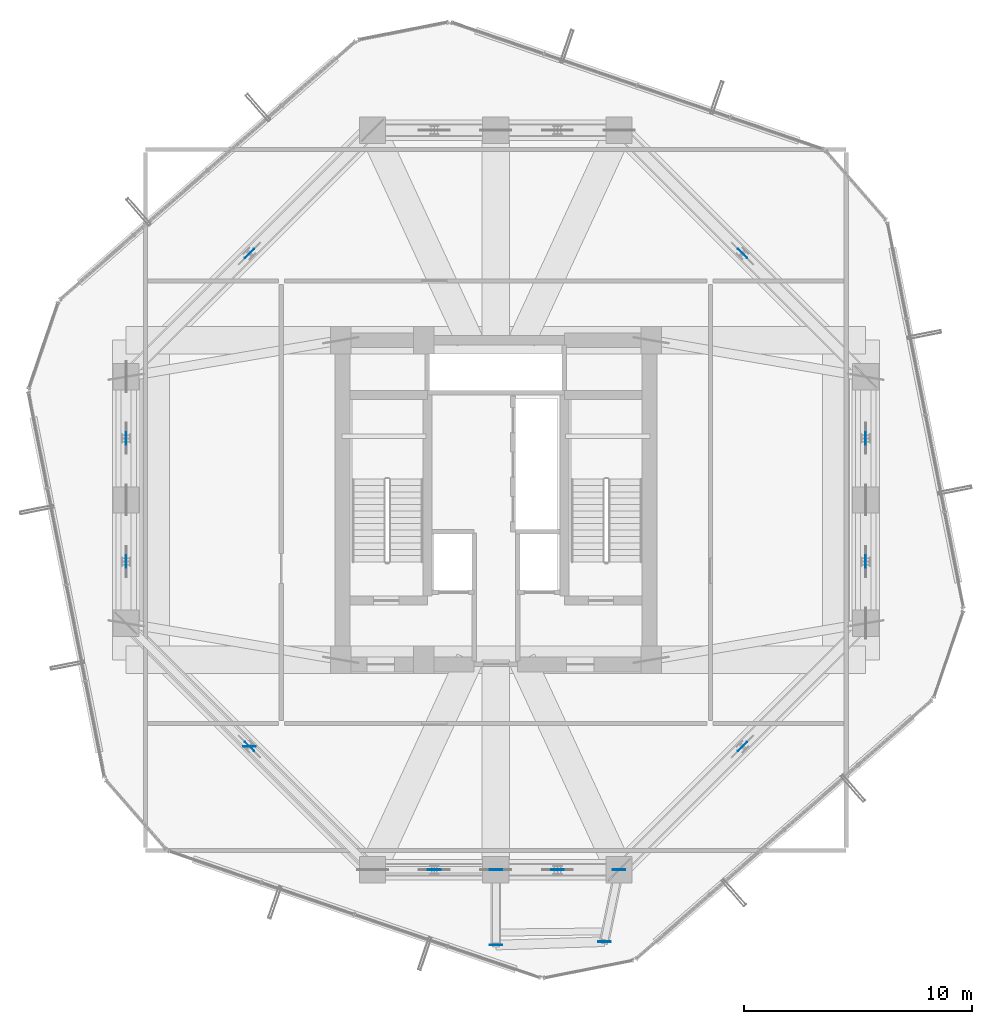
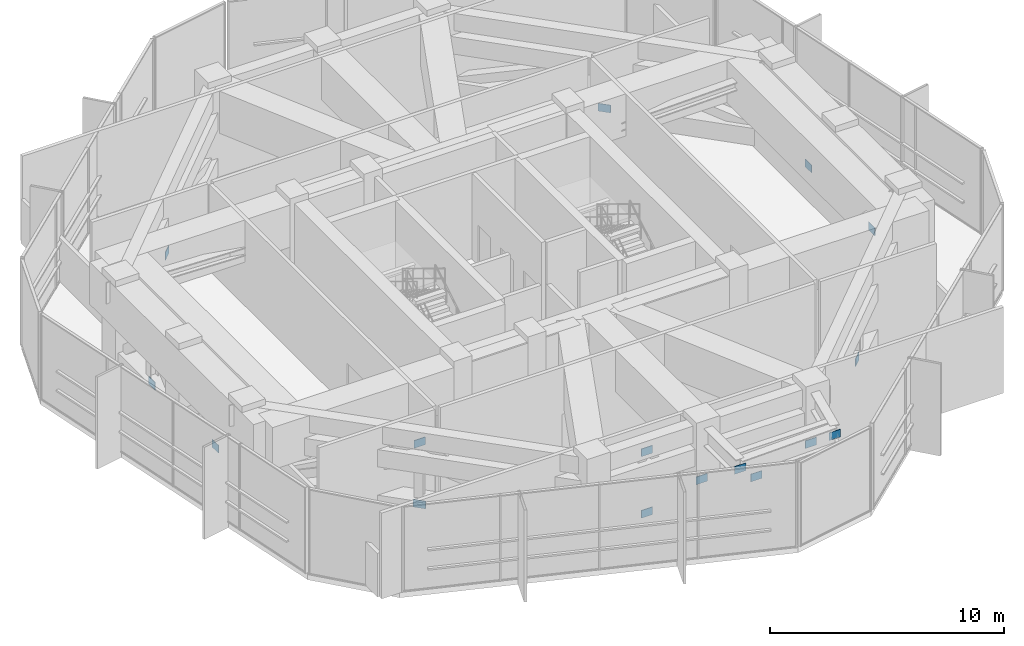
# One storey, part 32 of 36: 16 plates.
"""IFC4 building model written with IfcOpenShell, lengths in metres."""

from ifc_helpers import new_model, si_unit, direction, frame, origin, origin_2d, place, context, subcontext, project, spatial, rectangle, extrude, source, transform, mapped, material, layer, layer_set, type_object, element, save


model = new_model("IFC4")

# Units and contexts
model_context = context("Model", 3, precision=1e-05, world=origin(), true_north=direction((0.0, 1.0)))
body_context = subcontext(model_context, "Body", "Model", "MODEL_VIEW")
ifc_project = project(units=[si_unit("LENGTHUNIT", "METRE"), si_unit("AREAUNIT", "SQUARE_METRE"), si_unit("VOLUMEUNIT", "CUBIC_METRE"), si_unit("PLANEANGLEUNIT", "RADIAN"), si_unit("MASSUNIT", "GRAM", prefix="KILO")], contexts=[model_context])

# Site, building, storey
site_placement = place(None, origin())
site = spatial("IfcSite", under=ifc_project, at=site_placement, CompositionType="ELEMENT")
building_placement = place(site_placement, origin())
building = spatial("IfcBuilding", under=site, at=building_placement, Name="Veraguas Prism Commons", CompositionType="ELEMENT")
storey_placement = place(building_placement, frame((0.0, 0.0, 169.550048828125)))
storey = spatial("IfcBuildingStorey", under=building, at=storey_placement, Name="L48", CompositionType="ELEMENT", Elevation=169.550048828125)

# Plates
ifc_material = material(Name="Steel ASTM A572 Grade 50", Category="steel")
ifc_layer = layer(ifc_material, 0.030029296875, Name="Hollow Brace End Cap Plate 550x400x30", Category="steel")
ifc_layer_set = layer_set([ifc_layer], Name="Steel ASTM A572 Grade 50")
plate_type = type_object("IfcPlateType", Name="Hollow Brace End Cap Plate 550x400x30", PredefinedType="USERDEFINED", material=ifc_layer_set)
shared_shape = source(origin(), body_context, "Body", "SweptSolid", [
    extrude(rectangle(XDim=0.550048828125, YDim=0.030029296875, at=origin_2d()), origin(), (0.0, 0.0, 1.0), 0.39990234375),
])
for number, where, z_axis, x_axis, name in (
    (1, (40.199951171875, 21.300048828125, 0.35009765625), (0.0, 0.0, 1.0), (0.0, 1.0, 0.0), "Hollow Brace End Cap Plate L48-01"),
    (2, (40.199951171875, 26.699951171875, 0.35009765625), (0.0, 0.0, 1.0), (0.0, 1.0, 0.0), "Hollow Brace End Cap Plate L48-02"),
    (3, (34.800048828125, 34.800048828125, 0.35009765625), (0.0, 0.0, 1.0), (-0.707106781187, 0.707106781187, 0.0), "Hollow Brace End Cap Plate L48-03"),
    (4, (13.199951171875, 34.800048828125, 0.35009765625), (0.0, 0.0, 1.0), (-0.707106781187, -0.707106781187, 0.0), "Hollow Brace End Cap Plate L48-06"),
    (5, (7.800048828125, 26.699951171875, 0.35009765625), (0.0, 0.0, 1.0), (0.0, -1.0, 0.0), "Hollow Brace End Cap Plate L48-07"),
    (6, (7.800048828125, 21.300048828125, 0.35009765625), (0.0, 0.0, 1.0), (0.0, -1.0, 0.0), "Hollow Brace End Cap Plate L48-08"),
    (7, (13.199951171875, 13.199951171875, 0.35009765625), (0.0, 0.0, 1.0), (0.707106781187, -0.707106781187, 0.0), "Hollow Brace End Cap Plate L48-09"),
    (8, (21.300048828125, 7.800048828125, 0.35009765625), (0.0, 0.0, 1.0), (1.0, 0.0, 0.0), "Hollow Brace End Cap Plate L48-10"),
    (9, (26.699951171875, 7.800048828125, 0.35009765625), (0.0, 0.0, 1.0), (1.0, 0.0, 0.0), "Hollow Brace End Cap Plate L48-11"),
    (10, (34.800048828125, 13.199951171875, 0.35009765625), (0.0, 0.0, 1.0), (0.707106781187, 0.707106781187, 0.0), "Hollow Brace End Cap Plate L48-12"),
    (11, (24.0, 7.800048828125, 1.14990234375), (0.0, 0.0, 1.0), (1.0, 0.0, 0.0), "Sky Pool Raker Strut Gusset Plate 01"),
    (12, (29.39990234375, 7.800048828125, 1.14990234375), (0.0, 0.0, 1.0), (1.0, 0.0, 0.0), "Sky Pool Raker Strut Gusset Plate 02"),
    (13, (24.0, 4.5, 3.699951171875), (0.0, 0.0, 1.0), (1.0, 0.0, 0.0), "Sky Pool Raker Strut Gusset Plate 03"),
    (14, (28.75, 4.64990234375, 3.699951171875), (0.0, 0.0, 1.0), (1.0, 0.0, 0.0), "Sky Pool Raker Strut Gusset Plate 04"),
    (15, (21.300048828125, 7.800048828125, 3.56005859375), (0.0, 0.0, 1.0), (1.0, 0.0, 0.0), "Sky Pool Sub-Truss Apex Gusset 02"),
    (16, (13.199951171875, 13.199951171875, 3.56005859375), (0.0, 0.0, 1.0), (1.0, 0.0, 0.0), "Sky Pool Sub-Truss Apex Gusset 03"),
):
    element("IfcPlate", number, at=place(storey_placement, frame(where, z_axis=z_axis, x_axis=x_axis)), inside=storey, type_object=plate_type, Name=name, ObjectType="STIFFENER PLATE", PredefinedType="USERDEFINED", context=body_context, shape_type="MappedRepresentation", body=[
        mapped(shared_shape, transform((0.0, 0.0, 0.0), scale=1.0)),
    ])

save(model, "model.ifc")
